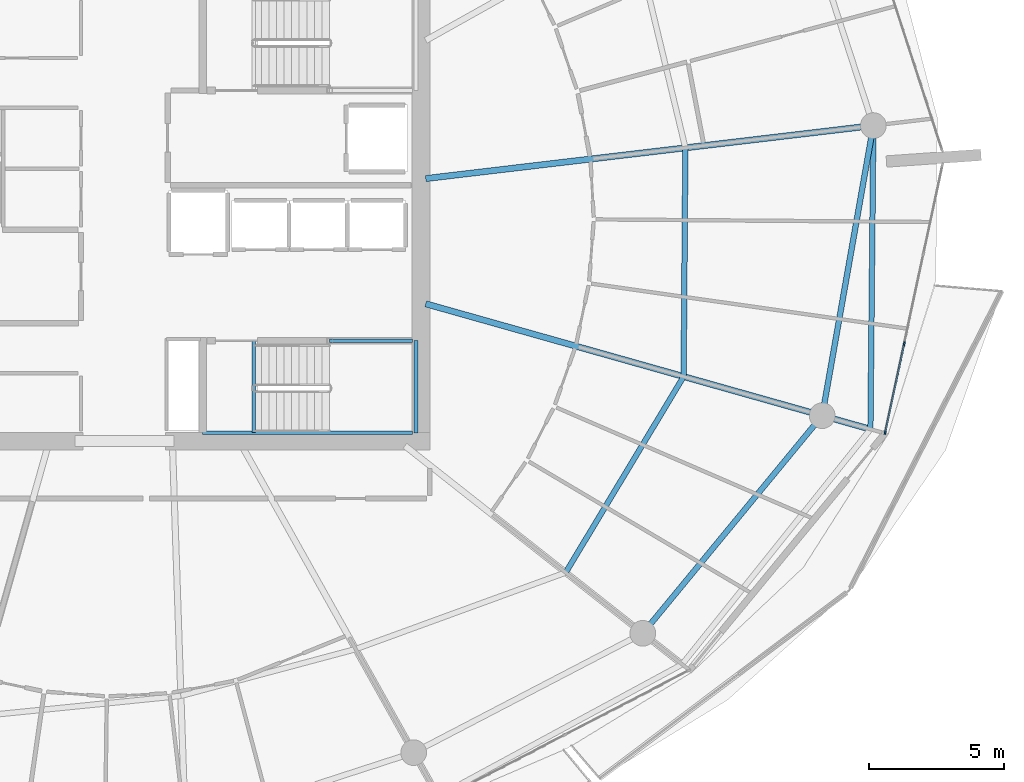
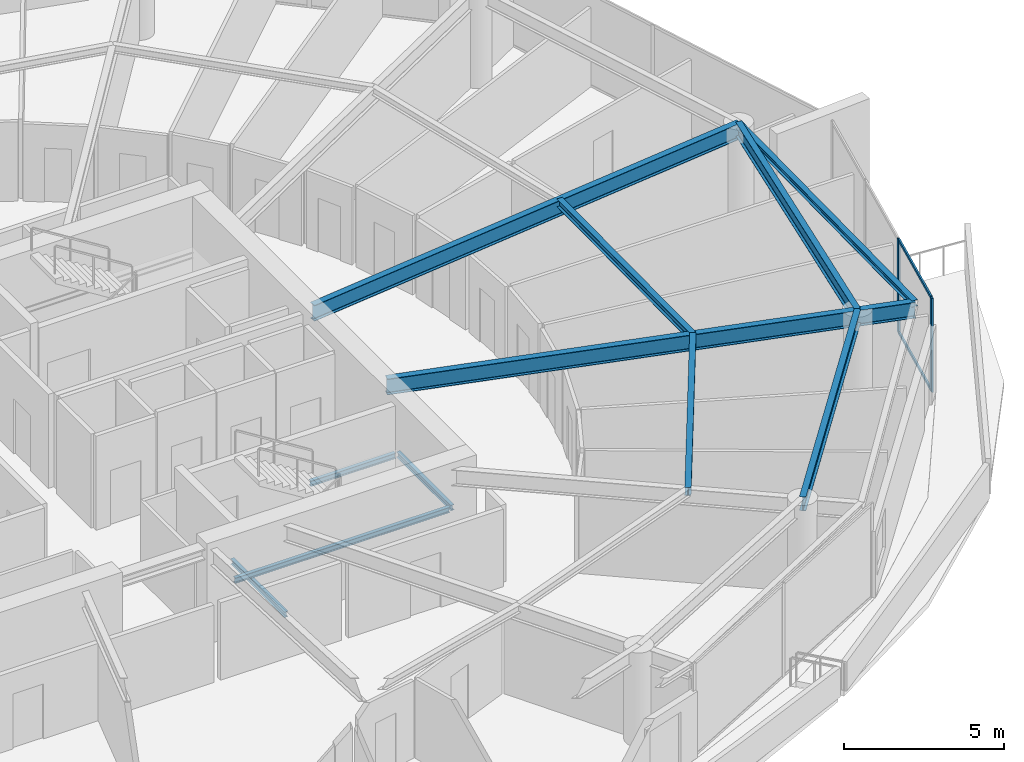
# One storey, part 11 of 31: 11 beams, 4 members, 1 element without a shape of its own.
"""IFC4 building model written with IfcOpenShell, lengths in metres."""

from ifc_helpers import new_model, si_unit, direction, frame, origin, origin_2d, place, context, subcontext, project, spatial, rectangle, i_section, extrude, material, layer, layer_set, material_profile, profile_set, type_object, element, aggregate, save


model = new_model("IFC4")

# Units and contexts
model_context = context("Model", 3, precision=1e-05, world=origin(), true_north=direction((0.0, 1.0)))
body_context = subcontext(model_context, "Body", "Model", "MODEL_VIEW")
ifc_project = project(units=[si_unit("LENGTHUNIT", "METRE"), si_unit("AREAUNIT", "SQUARE_METRE"), si_unit("VOLUMEUNIT", "CUBIC_METRE"), si_unit("PLANEANGLEUNIT", "RADIAN"), si_unit("MASSUNIT", "GRAM", prefix="KILO")], contexts=[model_context])

# Site, building, storey
site_placement = place(None, origin())
site = spatial("IfcSite", under=ifc_project, at=site_placement, CompositionType="ELEMENT")
building_placement = place(site_placement, origin())
building = spatial("IfcBuilding", under=site, at=building_placement, Name="Kazma Halo Residences", CompositionType="ELEMENT")
storey_placement = place(building_placement, frame((0.0, 0.0, 271.35009765625)))
storey = spatial("IfcBuildingStorey", under=building, at=storey_placement, Name="L68", CompositionType="ELEMENT", Elevation=271.35009765625)

# Beams
ifc_material_1 = material(Name="Steel S355", Category="steel")
ifc_material_profile_1 = material_profile(ifc_material_1, i_section(OverallWidth=0.201904296875, OverallDepth=0.2470703125, WebThickness=0.00732421875, FlangeThickness=0.010986328125, FilletRadius=0.011962890625, at=origin_2d()), Name="W250x49.1")
ifc_profile_set_1 = profile_set([ifc_material_profile_1], Name="Steel S355")
beam_type_1 = type_object("IfcBeamType", Name="BM-BAL-CANT", PredefinedType="BEAM", material=ifc_profile_set_1)
beam_1_placement = place(storey_placement, frame((75.971435546875, 34.111083984375, 3.46630859375), z_axis=(0.009645503464, 0.999953481049, 0.0), x_axis=(-0.999953481049, 0.009645503464, 0.0)))
element("IfcBeam", 1, at=beam_1_placement, inside=storey, type_object=beam_type_1, Name="L68 wave-balcony tie beam 15", PredefinedType="BEAM", context=body_context, shape_type="SweptSolid", body=[
    extrude(i_section(OverallWidth=0.201904296875, OverallDepth=0.2470703125, WebThickness=0.00732421875, FlangeThickness=0.010986328125, FilletRadius=0.011962890625, at=origin_2d()), origin(), (0.0, 0.0, 1.0), 11.212890625),
])
ifc_material_profile_2 = material_profile(ifc_material_1, i_section(OverallWidth=0.22802734375, OverallDepth=0.60791015625, WebThickness=0.01123046875, FlangeThickness=0.017333984375, FilletRadius=0.01806640625, at=origin_2d()), Name="W610x113")
ifc_profile_set_2 = profile_set([ifc_material_profile_2], Name="Steel S355")
beam_type_2 = type_object("IfcBeamType", Name="BM-RAD-W610", PredefinedType="BEAM", material=ifc_profile_set_2)
beam_2_placement = place(storey_placement, frame((59.550048828125, 38.74267578125, 3.285888671875), z_axis=(0.96245092213, -0.271455746837, 0.0), x_axis=(0.271455746837, 0.96245092213, 0.0)))
element("IfcBeam", 2, at=beam_2_placement, inside=storey, type_object=beam_type_2, Name="L68 radial floor beam 15", PredefinedType="BEAM", context=body_context, shape_type="SweptSolid", body=[
    extrude(i_section(OverallWidth=0.22802734375, OverallDepth=0.60791015625, WebThickness=0.01123046875, FlangeThickness=0.017333984375, FilletRadius=0.01806640625, at=origin_2d()), origin(), (0.0, 0.0, 1.0), 17.06201171875),
])
beam_3_placement = place(storey_placement, frame((59.550048828125, 43.366943359375, 3.285888671875), z_axis=(0.993067455077, 0.117545861975, 0.0), x_axis=(-0.117545861975, 0.993067455077, 0.0)))
element("IfcBeam", 3, at=beam_3_placement, inside=storey, type_object=beam_type_2, Name="L68 radial floor beam 16", PredefinedType="BEAM", context=body_context, shape_type="SweptSolid", body=[
    extrude(i_section(OverallWidth=0.22802734375, OverallDepth=0.60791015625, WebThickness=0.01123046875, FlangeThickness=0.017333984375, FilletRadius=0.01806640625, at=origin_2d()), origin(), (0.0, 0.0, 1.0), 16.64501953125),
])
ifc_material_profile_3 = material_profile(ifc_material_1, i_section(OverallWidth=0.202880859375, OverallDepth=0.302978515625, WebThickness=0.007568359375, FlangeThickness=0.01318359375, FilletRadius=0.013916015625, at=origin_2d()), Name="W310x60")
ifc_profile_set_3 = profile_set([ifc_material_profile_3], Name="Steel S355")
beam_type_3 = type_object("IfcBeamType", Name="BM-SEC-W310A", PredefinedType="JOIST", material=ifc_profile_set_3)
beam_4_placement = place(storey_placement, frame((64.719482421875, 28.8193359375, 3.4384765625), z_axis=(0.515604761061, 0.856826546257, 0.0), x_axis=(-0.856826546257, 0.515604761061, 0.0)))
element("IfcBeam", 4, at=beam_4_placement, inside=storey, type_object=beam_type_3, Name="L68 circumferential floor joist 14", PredefinedType="JOIST", context=body_context, shape_type="SweptSolid", body=[
    extrude(i_section(OverallWidth=0.202880859375, OverallDepth=0.302978515625, WebThickness=0.007568359375, FlangeThickness=0.01318359375, FilletRadius=0.013916015625, at=origin_2d()), origin(), (0.0, 0.0, 1.0), 8.4462890625),
])
beam_5_placement = place(storey_placement, frame((69.074462890625, 36.056396484375, 3.4384765625), z_axis=(0.007429258426, 0.999972402679, 0.0), x_axis=(-0.999972402679, 0.007429258426, 0.0)))
element("IfcBeam", 5, at=beam_5_placement, inside=storey, type_object=beam_type_3, Name="L68 circumferential floor joist 15", PredefinedType="JOIST", context=body_context, shape_type="SweptSolid", body=[
    extrude(i_section(OverallWidth=0.202880859375, OverallDepth=0.302978515625, WebThickness=0.007568359375, FlangeThickness=0.01318359375, FilletRadius=0.013916015625, at=origin_2d()), origin(), (0.0, 0.0, 1.0), 8.445556640625),
])
ifc_material_profile_4 = material_profile(ifc_material_1, i_section(OverallWidth=0.208984375, OverallDepth=0.532958984375, WebThickness=0.01025390625, FlangeThickness=0.015625, FilletRadius=0.01611328125, at=origin_2d()), Name="W530x92")
ifc_profile_set_4 = profile_set([ifc_material_profile_4], Name="Steel S355")
beam_type_4 = type_object("IfcBeamType", Name="BM-SPN-W530", PredefinedType="BEAM", material=ifc_profile_set_4)
beam_6_placement = place(storey_placement, frame((67.566162109375, 26.5751953125, 3.323486328125), z_axis=(0.636002144225, 0.771687289348, 0.0), x_axis=(-0.771687289348, 0.636002144225, 0.0)))
element("IfcBeam", 6, at=beam_6_placement, inside=storey, type_object=beam_type_4, Name="L68 perimeter ring beam 14", PredefinedType="BEAM", context=body_context, shape_type="SweptSolid", body=[
    extrude(i_section(OverallWidth=0.208984375, OverallDepth=0.532958984375, WebThickness=0.01025390625, FlangeThickness=0.015625, FilletRadius=0.01611328125, at=origin_2d()), origin(), (0.0, 0.0, 1.0), 10.416259765625),
])
beam_7_placement = place(storey_placement, frame((74.19091796875, 34.61328125, 3.323486328125), z_axis=(0.173663672311, 0.984805020763, 0.0), x_axis=(-0.984805020763, 0.173663672311, 0.0)))
element("IfcBeam", 7, at=beam_7_placement, inside=storey, type_object=beam_type_4, Name="L68 perimeter ring beam 15", PredefinedType="BEAM", context=body_context, shape_type="SweptSolid", body=[
    extrude(i_section(OverallWidth=0.208984375, OverallDepth=0.532958984375, WebThickness=0.01025390625, FlangeThickness=0.015625, FilletRadius=0.01611328125, at=origin_2d()), origin(), (0.0, 0.0, 1.0), 10.87548828125),
])
ifc_material_profile_5 = material_profile(ifc_material_1, i_section(OverallWidth=0.133056640625, OverallDepth=0.20703125, WebThickness=0.005859375, FlangeThickness=0.00830078125, FilletRadius=0.010009765625, at=origin_2d()), Name="W200x26.6")
ifc_profile_set_5 = profile_set([ifc_material_profile_5], Name="Steel S355")
beam_type_5 = type_object("IfcBeamType", Name="BM-TRIM-W200", PredefinedType="BEAM", material=ifc_profile_set_5)
beam_8_placement = place(storey_placement, frame((53.199951171875, 34.0, -0.3701171875), z_axis=(0.0, 1.0, 0.0), x_axis=(-1.0, 0.0, 0.0)))
element("IfcBeam", 8, at=beam_8_placement, inside=storey, type_object=beam_type_5, Name="L68 ST-03 floor landing support beam", PredefinedType="BEAM", context=body_context, shape_type="SweptSolid", body=[
    extrude(i_section(OverallWidth=0.133056640625, OverallDepth=0.20703125, WebThickness=0.005859375, FlangeThickness=0.00830078125, FilletRadius=0.010009765625, at=origin_2d()), origin(), (0.0, 0.0, 1.0), 3.3798828125),
])
beam_9_placement = place(storey_placement, frame((51.31005859375, 33.97998046875, 1.619873046875), z_axis=(1.0, 0.0, 0.0), x_axis=(0.0, 1.0, 0.0)))
element("IfcBeam", 9, at=beam_9_placement, inside=storey, type_object=beam_type_5, Name="L68 ST-03 landing south wall ledger", PredefinedType="BEAM", context=body_context, shape_type="SweptSolid", body=[
    extrude(i_section(OverallWidth=0.133056640625, OverallDepth=0.20703125, WebThickness=0.005859375, FlangeThickness=0.00830078125, FilletRadius=0.010009765625, at=origin_2d()), origin(), (0.0, 0.0, 1.0), 7.760009765625),
])
beam_10_placement = place(storey_placement, frame((56.0, 37.3798828125, 1.619873046875), z_axis=(1.0, 0.0, 0.0), x_axis=(0.0, 1.0, 0.0)))
element("IfcBeam", 10, at=beam_10_placement, inside=storey, type_object=beam_type_5, Name="L68 ST-03 landing north wall ledger", PredefinedType="BEAM", context=body_context, shape_type="SweptSolid", body=[
    extrude(i_section(OverallWidth=0.133056640625, OverallDepth=0.20703125, WebThickness=0.005859375, FlangeThickness=0.00830078125, FilletRadius=0.010009765625, at=origin_2d()), origin(), (0.0, 0.0, 1.0), 3.070068359375),
])
beam_11_placement = place(storey_placement, frame((59.18994140625, 33.97998046875, 1.619873046875), z_axis=(0.0, 1.0, 0.0), x_axis=(-1.0, 0.0, 0.0)))
element("IfcBeam", 11, at=beam_11_placement, inside=storey, type_object=beam_type_5, Name="L68 ST-03 landing end wall ledger", PredefinedType="BEAM", context=body_context, shape_type="SweptSolid", body=[
    extrude(i_section(OverallWidth=0.133056640625, OverallDepth=0.20703125, WebThickness=0.005859375, FlangeThickness=0.00830078125, FilletRadius=0.010009765625, at=origin_2d()), origin(), (0.0, 0.0, 1.0), 3.39990234375),
])

# Curtain wall, members
ifc_material_2 = material(Name="Aluminium AW-6063 T6 and Triple-Silver Low-E Glass", Category="aluminium")
ifc_layer = layer(ifc_material_2, 0.139892578125)
ifc_layer_set = layer_set([ifc_layer], Name="Aluminium AW-6063 T6 and Triple-Silver Low-E Glass")
curtain_wall_type = type_object("IfcCurtainWallType", Name="CW-SYS-5", PredefinedType="NOTDEFINED", material=ifc_layer_set)
curtain_wall_placement = place(storey_placement, origin())
curtain_wall = element("IfcCurtainWall", 12, at=curtain_wall_placement, inside=storey, type_object=curtain_wall_type, Name="L68 unitised curtain wall B15", PredefinedType="NOTDEFINED")
ifc_material_3 = material(Name="Aluminium AW-6063 T6", Category="aluminium")
ifc_material_profile_6 = material_profile(ifc_material_3, rectangle(XDim=0.06005859375, YDim=0.139892578125, at=origin_2d()), Name="CWM-60x140")
ifc_profile_set_6 = profile_set([ifc_material_profile_6], Name="Aluminium AW-6063 T6")
member_type_1 = type_object("IfcMemberType", Name="CW-SYS-5-MUL", PredefinedType="MULLION", material=ifc_profile_set_6)
member_1_placement = place(storey_placement, frame((76.514892578125, 33.989013671875, 0.0), z_axis=(0.0, 0.0, 1.0), x_axis=(-0.97777491373, 0.209657382603, 0.0)))
member_1 = element("IfcMember", 13, at=member_1_placement, type_object=member_type_1, Name="CWS-5 mullion 1", PredefinedType="MULLION", context=body_context, shape_type="SweptSolid", body=[
    extrude(rectangle(XDim=0.06005859375, YDim=0.139892578125, at=origin_2d()), origin(), (0.0, 0.0, 1.0), 3.58984375),
])
member_2_placement = place(storey_placement, frame((77.218994140625, 37.2734375, 0.0), z_axis=(0.0, 0.0, 1.0), x_axis=(-0.97777491373, 0.209657382603, 0.0)))
member_2 = element("IfcMember", 14, at=member_2_placement, type_object=member_type_1, Name="CWS-5 mullion 2", PredefinedType="MULLION", context=body_context, shape_type="SweptSolid", body=[
    extrude(rectangle(XDim=0.06005859375, YDim=0.139892578125, at=origin_2d()), origin(), (0.0, 0.0, 1.0), 3.58984375),
])
ifc_material_profile_7 = material_profile(ifc_material_3, rectangle(XDim=0.06005859375, YDim=0.10498046875, at=origin_2d()), Name="CWT-60x105")
ifc_profile_set_7 = profile_set([ifc_material_profile_7], Name="Aluminium AW-6063 T6")
member_type_2 = type_object("IfcMemberType", Name="CW-SYS-5-TRN", PredefinedType="USERDEFINED", material=ifc_profile_set_7)
member_3_placement = place(storey_placement, frame((76.52099609375, 34.0185546875, 0.02978515625), z_axis=(0.209660493552, 0.977774246666, 0.0), x_axis=(-0.977774246666, 0.209660493552, 0.0)))
member_3 = element("IfcMember", 15, at=member_3_placement, type_object=member_type_2, Name="CWS-5 transom 1.1", ObjectType="TRANSOM", PredefinedType="USERDEFINED", context=body_context, shape_type="SweptSolid", body=[
    extrude(rectangle(XDim=0.06005859375, YDim=0.10498046875, at=origin_2d()), origin(), (0.0, 0.0, 1.0), 3.298828125),
])
member_4_placement = place(storey_placement, frame((76.52099609375, 34.0185546875, 3.559814453125), z_axis=(0.209660493552, 0.977774246666, 0.0), x_axis=(-0.977774246666, 0.209660493552, 0.0)))
member_4 = element("IfcMember", 16, at=member_4_placement, type_object=member_type_2, Name="CWS-5 transom 1.2", ObjectType="TRANSOM", PredefinedType="USERDEFINED", context=body_context, shape_type="SweptSolid", body=[
    extrude(rectangle(XDim=0.06005859375, YDim=0.10498046875, at=origin_2d()), origin(), (0.0, 0.0, 1.0), 3.298828125),
])
aggregate(curtain_wall, [member_1, member_2, member_3, member_4])

save(model, "model.ifc")
